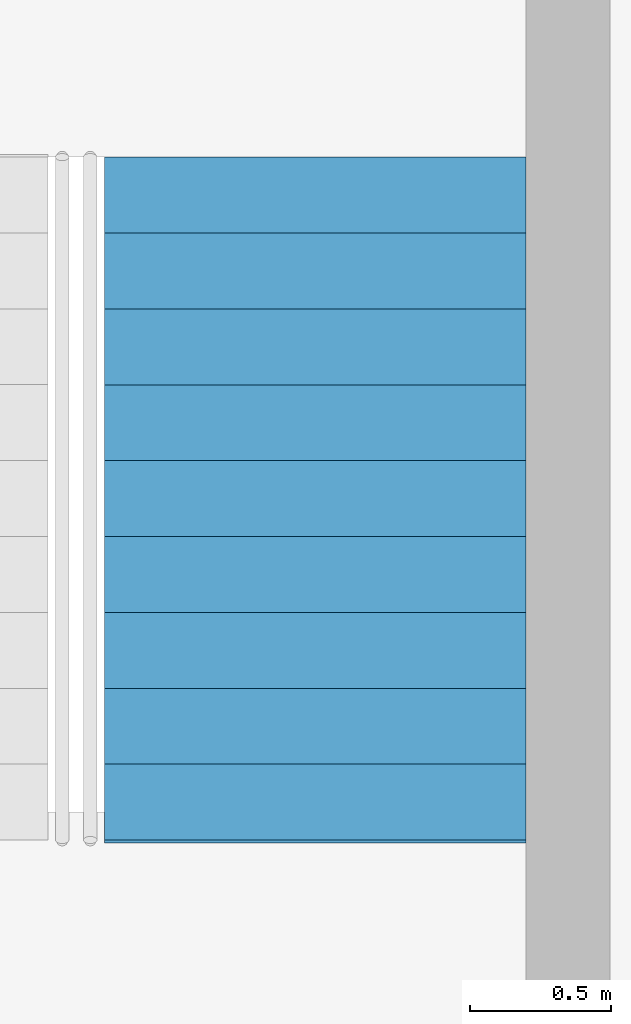
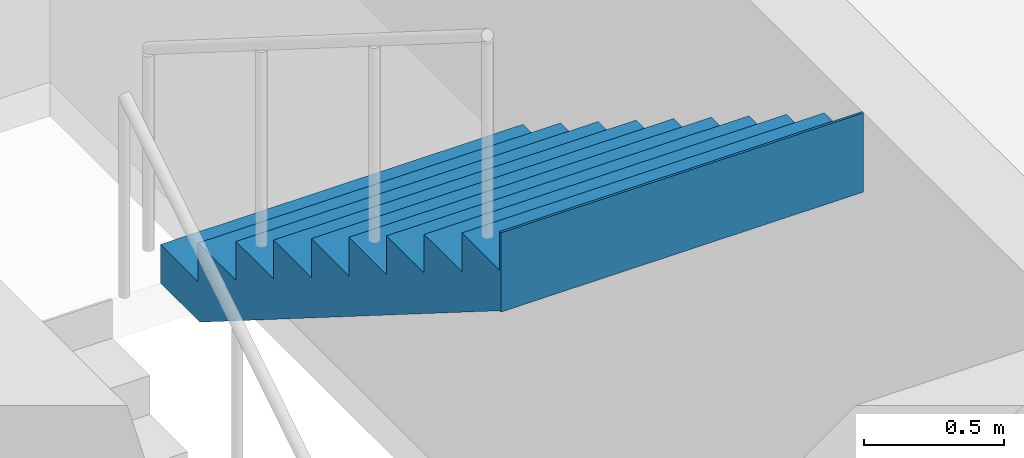
# One storey, part 11 of 12: 1 stair flight, 1 element without a shape of its own.
"""IFC4 building model written with IfcOpenShell, lengths in metres."""

from ifc_helpers import new_model, si_unit, direction, frame, origin, place, context, subcontext, project, spatial, polyline, outline, extrude, material, type_object, element, aggregate, save


model = new_model("IFC4")

# Units and contexts
model_context = context("Model", 3, precision=1e-05, world=origin(), true_north=direction((0.0, 1.0)))
body_context = subcontext(model_context, "Body", "Model", "MODEL_VIEW")
ifc_project = project(units=[si_unit("LENGTHUNIT", "METRE"), si_unit("AREAUNIT", "SQUARE_METRE"), si_unit("VOLUMEUNIT", "CUBIC_METRE"), si_unit("PLANEANGLEUNIT", "RADIAN"), si_unit("MASSUNIT", "GRAM", prefix="KILO")], contexts=[model_context])

# Site, building, storey
site_placement = place(None, origin())
site = spatial("IfcSite", under=ifc_project, at=site_placement, CompositionType="ELEMENT")
building_placement = place(site_placement, origin())
building = spatial("IfcBuilding", under=site, at=building_placement, Name="Torsade Residences", CompositionType="ELEMENT")
storey_placement = place(building_placement, frame((0.0, 0.0, 279.39990234375)))
storey = spatial("IfcBuildingStorey", under=building, at=storey_placement, Name="L77", CompositionType="ELEMENT", Elevation=279.39990234375)

# Stair, stair flight
ifc_material_1 = material(Name="Precast concrete 40 MPa", Category="concrete")
stair_type = type_object("IfcStairType", Name="HALF-TURN FIRE STAIR 1500x3400", PredefinedType="HALF_TURN_STAIR", material=ifc_material_1)
stair_placement = place(storey_placement, origin())
stair = element("IfcStair", 1, at=stair_placement, inside=storey, type_object=stair_type, Name="Stair ST1 L77", PredefinedType="HALF_TURN_STAIR")
ifc_material_2 = material(Name="Precast concrete 40 MPa", Category="concrete")
stair_flight_type = type_object("IfcStairFlightType", Name="PRECAST STAIR FLIGHT 1500x1700", PredefinedType="STRAIGHT", material=ifc_material_2)
stair_flight_placement = place(storey_placement, frame((31.25, 36.2099609375, 1.7001953125), z_axis=(0.0, 0.0, 1.0), x_axis=(0.0, -1.0, 0.0)))
stair_flight = element("IfcStairFlight", 2, at=stair_flight_placement, type_object=stair_flight_type, Name="ST1 flight 2", NumberOfRisers=10, NumberOfTreads=9, PredefinedType="STRAIGHT", RiserHeight=0.17, TreadLength=0.27, context=body_context, shape_type="SweptSolid", body=[
    extrude(outline(polyline([(0.0, 0.0), (0.0, 0.169921875), (0.27001953125, 0.169921875), (0.27001953125, 0.340087890625), (0.5400390625, 0.340087890625), (0.5400390625, 0.510009765625), (0.81005859375, 0.510009765625), (0.81005859375, 0.679931640625), (1.080078125, 0.679931640625), (1.080078125, 0.85009765625), (1.35009765625, 0.85009765625), (1.35009765625, 1.02001953125), (1.6201171875, 1.02001953125), (1.6201171875, 1.18994140625), (1.889892578125, 1.18994140625), (1.889892578125, 1.360107421875), (2.159912109375, 1.360107421875), (2.159912109375, 1.530029296875), (2.429931640625, 1.530029296875), (2.429931640625, 1.699951171875), (2.43994140625, 1.699951171875), (2.43994140625, 1.352783203125), (2.429931640625, 1.352783203125), (0.28125, 0.0), (0.0, 0.0)])), frame((0.0, 0.75, 0.0), z_axis=(0.0, -1.0, 0.0), x_axis=(1.0, 0.0, 0.0)), (0.0, 0.0, 1.0), 1.5),
])
aggregate(stair, [stair_flight])

save(model, "model.ifc")
